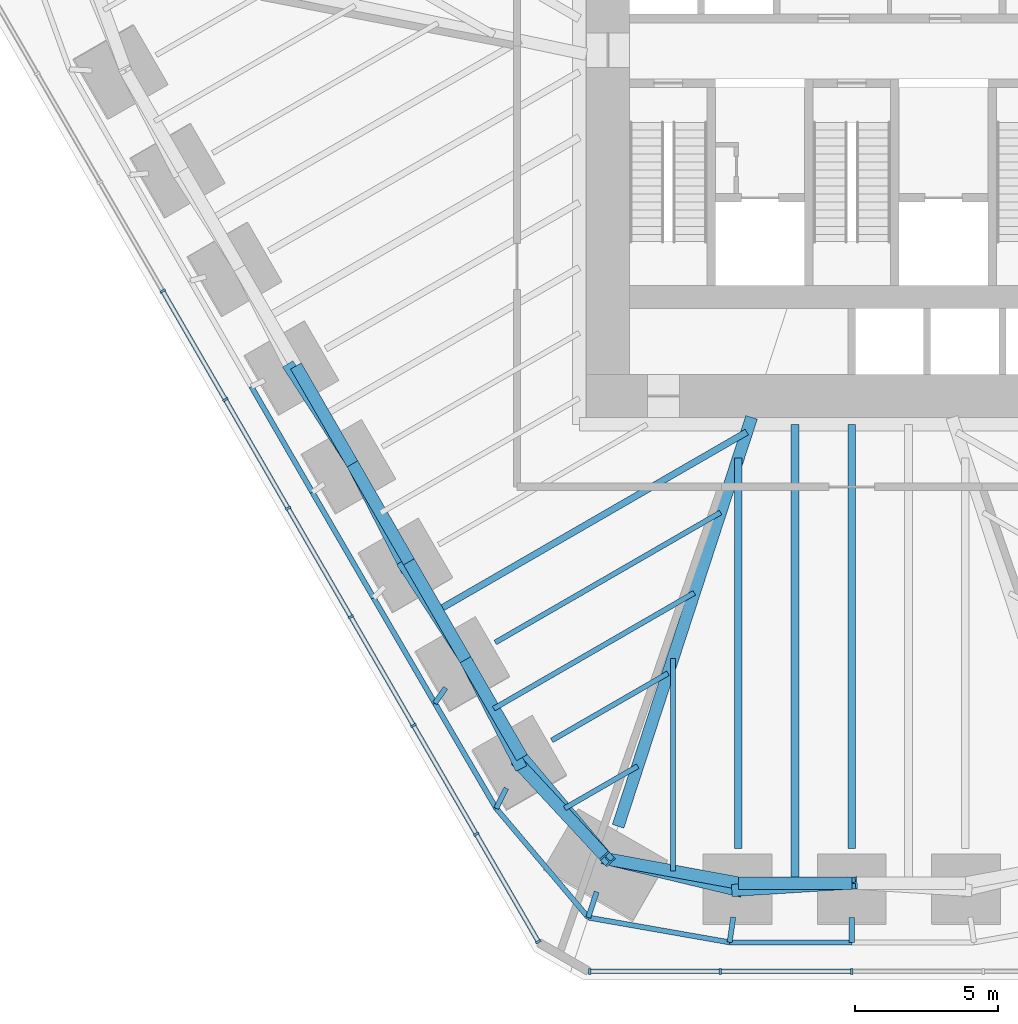
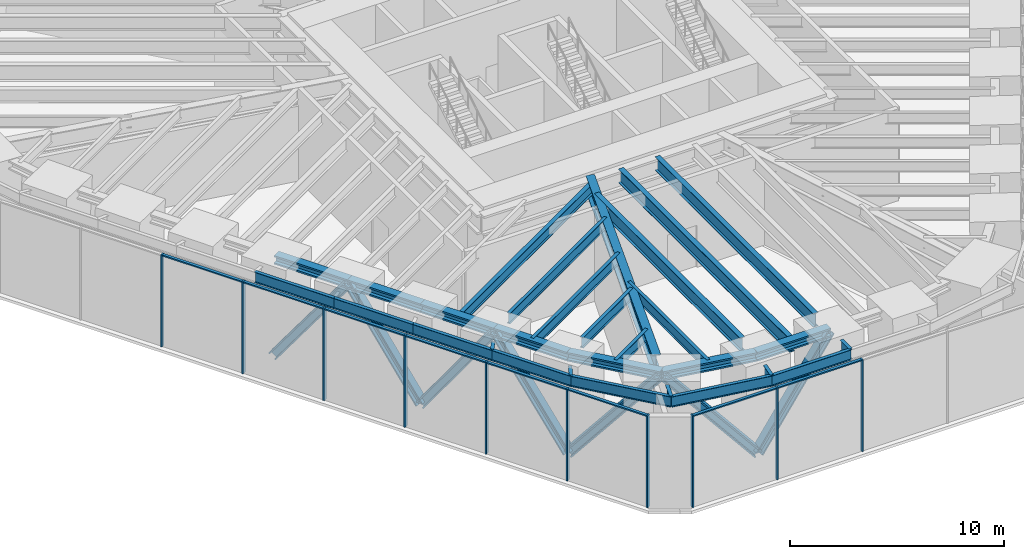
# One storey, part 2 of 13: 29 beams, 25 members, 2 elements without a shape of their own.
"""IFC4 building model written with IfcOpenShell, lengths in metres."""

import ifcopenshell
import ifcopenshell.guid

model = None  # the IFC model being written
_history = None  # IfcOwnerHistory: only IFC2X3 demands one
_inside = {}  # id of a spatial element -> (the spatial element, [elements in it])
_under = {}  # id of a project, library or spatial element -> (it, [spatial elements below it])
_declared = {}  # id of a project -> (the project, [libraries it declares])
_typed = {}  # id of a type object -> (the type object, [elements of that type])
_made_of = {}  # id of a material, layer set ... -> (it, [elements and type objects made of it])


def new_model(schema):
    """Start an empty IFC model of exactly this schema.

    Asked for "IFC4X3", IfcOpenShell would pick the latest addendum, in which some entities
    have other attributes; the version numbers below select the first issue.
    IFC2X3 requires an IfcOwnerHistory on every rooted entity: one is made here for all.
    """
    global model, _history
    if schema == "IFC4X3":
        model = ifcopenshell.file(schema_version=(4, 3, 0, 0))
    else:
        model = ifcopenshell.file(schema=schema)
    _inside.clear()
    _under.clear()
    _declared.clear()
    _typed.clear()
    _made_of.clear()
    _history = None
    if model.schema == "IFC2X3":
        org = make("IfcOrganization", Name="unknown")
        user = make(
            "IfcPersonAndOrganization",
            ThePerson=make("IfcPerson", FamilyName="unknown"),
            TheOrganization=org,
        )
        app = make(
            "IfcApplication",
            ApplicationDeveloper=org,
            Version="unknown",
            ApplicationFullName="unknown",
            ApplicationIdentifier="unknown",
        )
        _history = make(
            "IfcOwnerHistory",
            OwningUser=user,
            OwningApplication=app,
            ChangeAction="ADDED",
            CreationDate=0,
        )
    return model


def make(cls, **values):
    """One entity of the class cls with the attributes given. An attribute that is None is left unset."""
    return model.create_entity(
        cls, **{name: value for name, value in values.items() if value is not None}
    )


def rooted(cls, **values):
    """An entity with a GlobalId (a new one), such as an element, a storey or a relation."""
    return make(cls, GlobalId=ifcopenshell.guid.new(), OwnerHistory=_history, **values)


def si_unit(unit_type, name, prefix=None):
    """IfcSIUnit, for example si_unit("LENGTHUNIT", "METRE", prefix="MILLI")."""
    return make("IfcSIUnit", UnitType=unit_type, Prefix=prefix, Name=name)


def assignment(units):
    """IfcUnitAssignment: the units of a project."""
    return None if units is None else make("IfcUnitAssignment", Units=units)


def point(xyz):
    """IfcCartesianPoint."""
    return None if xyz is None else make("IfcCartesianPoint", Coordinates=xyz)


def direction(xyz):
    """IfcDirection."""
    return None if xyz is None else make("IfcDirection", DirectionRatios=xyz)


def frame(location, z_axis=None, x_axis=None):
    """IfcAxis2Placement3D, a coordinate frame: its origin and axes. An axis left out is left unset."""
    return make(
        "IfcAxis2Placement3D",
        Location=point(location),
        Axis=direction(z_axis),
        RefDirection=direction(x_axis),
    )


def frame_2d(location, x_axis=None):
    """IfcAxis2Placement2D, a coordinate frame in the plane: its origin and x axis."""
    return make(
        "IfcAxis2Placement2D", Location=point(location), RefDirection=direction(x_axis)
    )


def origin():
    """The frame at (0, 0, 0) with its axes left unset."""
    return frame((0.0, 0.0, 0.0))


def origin_2d():
    """The frame at (0, 0) in the plane with its x axis left unset."""
    return frame_2d((0.0, 0.0))


def place(relative_to, where):
    """IfcLocalPlacement: puts the frame where relative to a parent placement (None: the world)."""
    return make(
        "IfcLocalPlacement", PlacementRelTo=relative_to, RelativePlacement=where
    )


def context(
    kind, dimensions, precision=None, world=None, true_north=None, identifier=None
):
    """IfcGeometricRepresentationContext, for example the 3D "Model" context."""
    return make(
        "IfcGeometricRepresentationContext",
        ContextIdentifier=identifier,
        ContextType=kind,
        CoordinateSpaceDimension=dimensions,
        Precision=precision,
        WorldCoordinateSystem=world,
        TrueNorth=true_north,
    )


def subcontext(parent, identifier, kind, view, scale=None):
    """IfcGeometricRepresentationSubContext, for example "Body" below "Model"."""
    return make(
        "IfcGeometricRepresentationSubContext",
        ContextIdentifier=identifier,
        ContextType=kind,
        ParentContext=parent,
        TargetScale=scale,
        TargetView=view,
    )


def project(units=None, contexts=None):
    """IfcProject with its units and contexts."""
    return rooted(
        "IfcProject",
        Name="project",
        RepresentationContexts=contexts,
        UnitsInContext=assignment(units),
    )


def spatial(cls, under=None, at=None, **own):
    """A site, building, storey or space (cls), placed at a placement, below another one or the project."""
    s = rooted(cls, ObjectPlacement=at, **own)
    if under is not None:
        _under.setdefault(under.id(), (under, []))[1].append(s)
    return s


def profile(cls, at=None, kind="AREA", **sizes):
    """A parametric profile (cls). Its sizes go by their IFC names, for example OverallWidth=200.0."""
    return make(cls, ProfileType=kind, Position=at, **sizes)


def rectangle(**sizes):
    """IfcRectangleProfileDef."""
    return profile("IfcRectangleProfileDef", **sizes)


def i_section(**sizes):
    """IfcIShapeProfileDef."""
    return profile("IfcIShapeProfileDef", **sizes)


def extrude(swept, where, along, depth):
    """IfcExtrudedAreaSolid: the profile swept, set in the frame where, extruded along a direction by depth."""
    return make(
        "IfcExtrudedAreaSolid",
        SweptArea=swept,
        Position=where,
        ExtrudedDirection=direction(along),
        Depth=depth,
    )


def shape(context_of_items, identifier, shape_type, items):
    """IfcShapeRepresentation: the items that make up one representation, for example the "Body"."""
    return make(
        "IfcShapeRepresentation",
        ContextOfItems=context_of_items,
        RepresentationIdentifier=identifier,
        RepresentationType=shape_type,
        Items=items,
    )


def material(Name=None, Category=None):
    """IfcMaterial."""
    return make("IfcMaterial", Name=Name, Category=Category)


def material_profile(
    of_material, cross_section, Name=None, Category=None, Priority=None
):
    """IfcMaterialProfile: a cross section and its material."""
    return make(
        "IfcMaterialProfile",
        Name=Name,
        Material=of_material,
        Profile=cross_section,
        Priority=Priority,
        Category=Category,
    )


def profile_set(profiles, Name=None, composite=None):
    """IfcMaterialProfileSet."""
    return make(
        "IfcMaterialProfileSet",
        Name=Name,
        MaterialProfiles=profiles,
        CompositeProfile=composite,
    )


def made_of(thing, what):
    """Note that an element or type object is made of a material, layer set ...; save() writes the relation."""
    if what is not None:
        _made_of.setdefault(what.id(), (what, []))[1].append(thing)
    return thing


def type_object(cls, material=None, **own):
    """A type object (cls), such as IfcWallType, which elements share."""
    return made_of(rooted(cls, **own), material)


def element(
    cls,
    number,
    at=None,
    inside=None,
    cuts=None,
    type_object=None,
    material=None,
    context=None,
    identifier="Body",
    shape_type=None,
    held_by="IfcProductDefinitionShape",
    body=None,
    shapes=None,
    **own,
):
    """One element of the class cls, such as IfcWall. Its Tag is "e" and its number.

    at: its placement. inside: the storey or other place that contains it. cuts: it is an
    opening in that element (IfcRelVoidsElement). A single representation is given by context,
    identifier, shape_type and body (its items); several are given by shapes. held_by: the class
    of the entity that holds the representations. save() writes the other relations.
    """
    e = rooted(cls, Tag="e%d" % number, ObjectPlacement=at, **own)
    if body is not None:
        shapes = [shape(context, identifier, shape_type, body)]
    if shapes is not None:
        e.Representation = make(held_by, Representations=shapes)
    if inside is not None:
        _inside.setdefault(inside.id(), (inside, []))[1].append(e)
    if cuts is not None:
        rooted(
            "IfcRelVoidsElement", RelatingBuildingElement=cuts, RelatedOpeningElement=e
        )
    if type_object is not None:
        _typed.setdefault(type_object.id(), (type_object, []))[1].append(e)
    return made_of(e, material)


def aggregate(whole, parts):
    """IfcRelAggregates: a whole, such as a stair, and the parts it consists of."""
    return rooted("IfcRelAggregates", RelatingObject=whole, RelatedObjects=parts)


def save(model, path):
    """Write the relations noted so far, then the file.

    IfcRelAggregates (storeys below a building ...), IfcRelContainedInSpatialStructure (elements
    in a storey), IfcRelDefinesByType, IfcRelAssociatesMaterial and IfcRelDeclares: one each for
    every whole, place, type object, material and project.
    """
    for whole, parts in _under.values():
        aggregate(whole, parts)
    for where, things in _inside.values():
        rooted(
            "IfcRelContainedInSpatialStructure",
            RelatedElements=things,
            RelatingStructure=where,
        )
    for kind, things in _typed.values():
        rooted("IfcRelDefinesByType", RelatedObjects=things, RelatingType=kind)
    for what, things in _made_of.values():
        rooted("IfcRelAssociatesMaterial", RelatedObjects=things, RelatingMaterial=what)
    for by, libraries in _declared.values():
        rooted("IfcRelDeclares", RelatingContext=by, RelatedDefinitions=libraries)
    model.write(path)


model = new_model("IFC4")

# Units and contexts
model_context = context("Model", 3, precision=1e-05, world=origin(), true_north=direction((0.0, 1.0)))
body_context = subcontext(model_context, "Body", "Model", "MODEL_VIEW")
ifc_project = project(units=[si_unit("LENGTHUNIT", "METRE"), si_unit("AREAUNIT", "SQUARE_METRE"), si_unit("VOLUMEUNIT", "CUBIC_METRE"), si_unit("PLANEANGLEUNIT", "RADIAN"), si_unit("MASSUNIT", "GRAM", prefix="KILO")], contexts=[model_context])

# Site, building, storey
site_placement = place(None, origin())
site = spatial("IfcSite", under=ifc_project, at=site_placement, CompositionType="ELEMENT")
building_placement = place(site_placement, origin())
building = spatial("IfcBuilding", under=site, at=building_placement, Name="Sandreach Pilgrim Tower", CompositionType="ELEMENT")
storey_placement = place(building_placement, frame((0.0, 0.0, 91.39990234375)))
storey = spatial("IfcBuildingStorey", under=building, at=storey_placement, Name="L22", CompositionType="ELEMENT", Elevation=91.39990234375)

# Beams
ifc_material_1 = material(Name="Steel ASTM A913 Grade 65", Category="steel")
ifc_material_profile_1 = material_profile(ifc_material_1, i_section(OverallWidth=0.431884765625, OverallDepth=0.497802734375, WebThickness=0.0556640625, FlangeThickness=0.0888671875, at=origin_2d()), Name="W14X500")
ifc_profile_set_1 = profile_set([ifc_material_profile_1], Name="Steel ASTM A913 Grade 65")
beam_type_1 = type_object("IfcBeamType", Name="Belt truss chord W14X500", PredefinedType="BEAM", material=ifc_profile_set_1)
beam_1_placement = place(storey_placement, frame((0.0, -26.93212890625, 4.9912109375), z_axis=(-1.0, 0.0, 0.0), x_axis=(0.0, -1.0, 0.0)))
element("IfcBeam", 1, at=beam_1_placement, inside=storey, type_object=beam_type_1, Name="BM L22 BTT24", PredefinedType="BEAM", context=body_context, shape_type="SweptSolid", body=[
    extrude(i_section(OverallWidth=0.431884765625, OverallDepth=0.497802734375, WebThickness=0.0556640625, FlangeThickness=0.0888671875, at=origin_2d()), origin(), (0.0, 0.0, 1.0), 3.955322265625),
])
beam_2_placement = place(storey_placement, frame((-3.955322265625, -26.93212890625, 4.9912109375), z_axis=(-0.983551746136, 0.180626583516, 0.0), x_axis=(-0.180626583516, -0.983551746136, 0.0)))
element("IfcBeam", 2, at=beam_2_placement, inside=storey, type_object=beam_type_1, Name="BM L22 BTT25", PredefinedType="BEAM", context=body_context, shape_type="SweptSolid", body=[
    extrude(i_section(OverallWidth=0.431884765625, OverallDepth=0.497802734375, WebThickness=0.0556640625, FlangeThickness=0.0888671875, at=origin_2d()), origin(), (0.0, 0.0, 1.0), 4.638916015625),
])
beam_3_placement = place(storey_placement, frame((-8.517822265625, -26.09423828125, 4.9912109375), z_axis=(-0.644078801547, 0.764959147535, 0.0), x_axis=(-0.764959147535, -0.644078801547, 0.0)))
element("IfcBeam", 3, at=beam_3_placement, inside=storey, type_object=beam_type_1, Name="BM L22 BTT26", PredefinedType="BEAM", context=body_context, shape_type="SweptSolid", body=[
    extrude(i_section(OverallWidth=0.431884765625, OverallDepth=0.497802734375, WebThickness=0.0556640625, FlangeThickness=0.0888671875, at=origin_2d()), origin(), (0.0, 0.0, 1.0), 4.62109375),
])
for number, where, z_axis, x_axis, name in (
    (4, (-11.494140625, -22.559326171875, 4.9912109375), (-0.49999779889, 0.866026674592, 0.0), (-0.866026674592, -0.49999779889, 0.0), "BM L22 BTT27"),
    (5, (-13.464111328125, -19.147216796875, 4.9912109375), (-0.49999779889, 0.866026674592, 0.0), (-0.866026674592, -0.49999779889, 0.0), "BM L22 BTT28"),
    (6, (-15.43408203125, -15.735107421875, 4.9912109375), (-0.49999779889, 0.866026674592, 0.0), (-0.866026674592, -0.49999779889, 0.0), "BM L22 BTT29"),
    (7, (-17.404052734375, -12.322998046875, 4.9912109375), (-0.49999779889, 0.866026674592, 0.0), (-0.866026674592, -0.49999779889, 0.0), "BM L22 BTT30"),
):
    element("IfcBeam", number, at=place(storey_placement, frame(where, z_axis=z_axis, x_axis=x_axis)), inside=storey, type_object=beam_type_1, Name=name, PredefinedType="BEAM", context=body_context, shape_type="SweptSolid", body=[
        extrude(i_section(OverallWidth=0.431884765625, OverallDepth=0.497802734375, WebThickness=0.0556640625, FlangeThickness=0.0888671875, at=origin_2d()), origin(), (0.0, 0.0, 1.0), 3.93994140625),
    ])

# Members
ifc_material_2 = material(Name="Steel ASTM A913 Grade 65", Category="steel")
ifc_material_profile_2 = material_profile(ifc_material_2, i_section(OverallWidth=0.424072265625, OverallDepth=0.47509765625, WebThickness=0.0478515625, FlangeThickness=0.0771484375, at=origin_2d()), Name="W14X426")
ifc_profile_set_2 = profile_set([ifc_material_profile_2], Name="Steel ASTM A913 Grade 65")
member_type_1 = type_object("IfcMemberType", Name="Belt truss diagonal W14X426", PredefinedType="BRACE", material=ifc_profile_set_2)
member_1_placement = place(storey_placement, frame((0.0, -26.93212890625, 4.9912109375), z_axis=(-0.594013567662, -0.036912402737, -0.803607712729), x_axis=(0.062021042172, -0.998074842047, 0.0)))
element("IfcMember", 8, at=member_1_placement, inside=storey, type_object=member_type_1, Name="Belt truss diagonal L22 bay 24", PredefinedType="BRACE", context=body_context, shape_type="SweptSolid", body=[
    extrude(i_section(OverallWidth=0.424072265625, OverallDepth=0.47509765625, WebThickness=0.0478515625, FlangeThickness=0.0771484375, at=origin_2d()), origin(), (0.0, 0.0, 1.0), 6.719970703125),
])
member_2_placement = place(storey_placement, frame((-3.99169921875, -27.18017578125, -0.408935546875), z_axis=(-0.634863983355, 0.152320783104, 0.757460297094), x_axis=(-0.233305502579, -0.972403487482, 0.0)))
element("IfcMember", 9, at=member_2_placement, inside=storey, type_object=member_type_1, Name="Belt truss diagonal L22 bay 25", PredefinedType="BRACE", context=body_context, shape_type="SweptSolid", body=[
    extrude(i_section(OverallWidth=0.424072265625, OverallDepth=0.47509765625, WebThickness=0.0478515625, FlangeThickness=0.0771484375, at=origin_2d()), origin(), (0.0, 0.0, 1.0), 7.12939453125),
])
member_3_placement = place(storey_placement, frame((-8.517822265625, -26.09423828125, 4.9912109375), z_axis=(-0.437326529657, 0.471430451097, -0.765832120139), x_axis=(-0.733127082965, -0.680091670456, 0.0)))
element("IfcMember", 10, at=member_3_placement, inside=storey, type_object=member_type_1, Name="Belt truss diagonal L22 bay 26", PredefinedType="BRACE", context=body_context, shape_type="SweptSolid", body=[
    extrude(i_section(OverallWidth=0.424072265625, OverallDepth=0.47509765625, WebThickness=0.0478515625, FlangeThickness=0.0771484375, at=origin_2d()), origin(), (0.0, 0.0, 1.0), 7.05126953125),
])
member_4_placement = place(storey_placement, frame((-11.6015625, -22.77001953125, -0.408935546875), z_axis=(-0.275350983395, 0.535579137842, 0.798333779225), x_axis=(-0.889348385445, -0.457230192908, 0.0)))
element("IfcMember", 11, at=member_4_placement, inside=storey, type_object=member_type_1, Name="Belt truss diagonal L22 bay 27", PredefinedType="BRACE", context=body_context, shape_type="SweptSolid", body=[
    extrude(i_section(OverallWidth=0.424072265625, OverallDepth=0.47509765625, WebThickness=0.0478515625, FlangeThickness=0.0771484375, at=origin_2d()), origin(), (0.0, 0.0, 1.0), 6.76416015625),
])
member_5_placement = place(storey_placement, frame((-13.464111328125, -19.147216796875, 4.9912109375), z_axis=(-0.317648167186, 0.490613995606, -0.811417000807), x_axis=(-0.839420254425, -0.543482875959, 0.0)))
element("IfcMember", 12, at=member_5_placement, inside=storey, type_object=member_type_1, Name="Belt truss diagonal L22 bay 28", PredefinedType="BRACE", context=body_context, shape_type="SweptSolid", body=[
    extrude(i_section(OverallWidth=0.424072265625, OverallDepth=0.47509765625, WebThickness=0.0478515625, FlangeThickness=0.0771484375, at=origin_2d()), origin(), (0.0, 0.0, 1.0), 6.6552734375),
])
member_6_placement = place(storey_placement, frame((-15.578125, -15.882080078125, -0.408935546875), z_axis=(-0.271702624345, 0.529600328615, 0.803555334657), x_axis=(-0.889740563088, -0.456466570952, 0.0)))
element("IfcMember", 13, at=member_6_placement, inside=storey, type_object=member_type_1, Name="Belt truss diagonal L22 bay 29", PredefinedType="BRACE", context=body_context, shape_type="SweptSolid", body=[
    extrude(i_section(OverallWidth=0.424072265625, OverallDepth=0.47509765625, WebThickness=0.0478515625, FlangeThickness=0.0771484375, at=origin_2d()), origin(), (0.0, 0.0, 1.0), 6.72021484375),
])
member_7_placement = place(storey_placement, frame((-17.404052734375, -12.322998046875, 4.9912109375), z_axis=(-0.321101268032, 0.496959794508, -0.806179222202), x_axis=(-0.839925308326, -0.5427020144, 0.0)))
element("IfcMember", 14, at=member_7_placement, inside=storey, type_object=member_type_1, Name="Belt truss diagonal L22 bay 30", PredefinedType="BRACE", context=body_context, shape_type="SweptSolid", body=[
    extrude(i_section(OverallWidth=0.424072265625, OverallDepth=0.47509765625, WebThickness=0.0478515625, FlangeThickness=0.0771484375, at=origin_2d()), origin(), (0.0, 0.0, 1.0), 6.698486328125),
])

# Curtain wall, members
ifc_material_3 = material(Name="Aluminium framed curtain wall", Category="aluminium")
curtain_wall_type = type_object("IfcCurtainWallType", Name="Plant storey louvred curtain wall", PredefinedType="NOTDEFINED", material=ifc_material_3)
curtain_wall_1_placement = place(storey_placement, origin())
curtain_wall_1 = element("IfcCurtainWall", 15, at=curtain_wall_1_placement, inside=storey, type_object=curtain_wall_type, Name="CW-L L22 S", PredefinedType="NOTDEFINED")
ifc_material_4 = material(Name="Aluminium extrusion", Category="aluminium")
ifc_material_profile_3 = material_profile(ifc_material_4, rectangle(XDim=0.080078125, YDim=0.199951171875, at=origin_2d()), Name="CW-LM 80X200")
ifc_profile_set_3 = profile_set([ifc_material_profile_3], Name="Aluminium extrusion")
member_type_2 = type_object("IfcMemberType", Name="CW-L mullion", PredefinedType="MULLION", material=ifc_profile_set_3)
member_8_placement = place(storey_placement, frame((0.0, -30.010986328125, 0.0), z_axis=(0.0, 0.0, 1.0), x_axis=(-1.0, 0.0, 0.0)))
member_8 = element("IfcMember", 16, at=member_8_placement, type_object=member_type_2, Name="CW-L mullion 3", PredefinedType="MULLION", context=body_context, shape_type="SweptSolid", body=[
    extrude(rectangle(XDim=0.080078125, YDim=0.199951171875, at=origin_2d()), origin(), (0.0, 0.0, 1.0), 5.239990234375),
])
member_9_placement = place(storey_placement, frame((-4.5859375, -30.010986328125, 0.0), z_axis=(0.0, 0.0, 1.0), x_axis=(-1.0, 0.0, 0.0)))
member_9 = element("IfcMember", 17, at=member_9_placement, type_object=member_type_2, Name="CW-L mullion 4", PredefinedType="MULLION", context=body_context, shape_type="SweptSolid", body=[
    extrude(rectangle(XDim=0.080078125, YDim=0.199951171875, at=origin_2d()), origin(), (0.0, 0.0, 1.0), 5.239990234375),
])
member_10_placement = place(storey_placement, frame((-9.132080078125, -30.010986328125, 0.0), z_axis=(0.0, 0.0, 1.0), x_axis=(-1.0, 0.0, 0.0)))
member_10 = element("IfcMember", 18, at=member_10_placement, type_object=member_type_2, Name="CW-L mullion 5", PredefinedType="MULLION", context=body_context, shape_type="SweptSolid", body=[
    extrude(rectangle(XDim=0.080078125, YDim=0.199951171875, at=origin_2d()), origin(), (0.0, 0.0, 1.0), 5.239990234375),
])

curtain_wall_2_placement = place(storey_placement, origin())
curtain_wall_2 = element("IfcCurtainWall", 19, at=curtain_wall_2_placement, inside=storey, type_object=curtain_wall_type, Name="CW-L L22 SW", PredefinedType="NOTDEFINED")
member_11_placement = place(storey_placement, frame((-10.924072265625, -28.976318359375, 0.0), z_axis=(0.0, 0.0, 1.0), x_axis=(-0.5, 0.866025403784, 0.0)))
member_11 = element("IfcMember", 20, at=member_11_placement, type_object=member_type_2, Name="CW-L mullion 1", PredefinedType="MULLION", context=body_context, shape_type="SweptSolid", body=[
    extrude(rectangle(XDim=0.080078125, YDim=0.199951171875, at=origin_2d()), origin(), (0.0, 0.0, 1.0), 5.239990234375),
])
member_12_placement = place(storey_placement, frame((-13.08984375, -25.22509765625, 0.0), z_axis=(0.0, 0.0, 1.0), x_axis=(-0.5, 0.866025403784, 0.0)))
member_12 = element("IfcMember", 21, at=member_12_placement, type_object=member_type_2, Name="CW-L mullion 2", PredefinedType="MULLION", context=body_context, shape_type="SweptSolid", body=[
    extrude(rectangle(XDim=0.080078125, YDim=0.199951171875, at=origin_2d()), origin(), (0.0, 0.0, 1.0), 5.239990234375),
])
member_13_placement = place(storey_placement, frame((-15.275634765625, -21.439208984375, 0.0), z_axis=(0.0, 0.0, 1.0), x_axis=(-0.5, 0.866025403784, 0.0)))
member_13 = element("IfcMember", 22, at=member_13_placement, type_object=member_type_2, Name="CW-L mullion 3", PredefinedType="MULLION", context=body_context, shape_type="SweptSolid", body=[
    extrude(rectangle(XDim=0.080078125, YDim=0.199951171875, at=origin_2d()), origin(), (0.0, 0.0, 1.0), 5.239990234375),
])
member_14_placement = place(storey_placement, frame((-17.46142578125, -17.6533203125, 0.0), z_axis=(0.0, 0.0, 1.0), x_axis=(-0.5, 0.866025403784, 0.0)))
member_14 = element("IfcMember", 23, at=member_14_placement, type_object=member_type_2, Name="CW-L mullion 4", PredefinedType="MULLION", context=body_context, shape_type="SweptSolid", body=[
    extrude(rectangle(XDim=0.080078125, YDim=0.199951171875, at=origin_2d()), origin(), (0.0, 0.0, 1.0), 5.239990234375),
])
member_15_placement = place(storey_placement, frame((-19.647216796875, -13.8671875, 0.0), z_axis=(0.0, 0.0, 1.0), x_axis=(-0.5, 0.866025403784, 0.0)))
member_15 = element("IfcMember", 24, at=member_15_placement, type_object=member_type_2, Name="CW-L mullion 5", PredefinedType="MULLION", context=body_context, shape_type="SweptSolid", body=[
    extrude(rectangle(XDim=0.080078125, YDim=0.199951171875, at=origin_2d()), origin(), (0.0, 0.0, 1.0), 5.239990234375),
])
member_16_placement = place(storey_placement, frame((-21.8330078125, -10.081298828125, 0.0), z_axis=(0.0, 0.0, 1.0), x_axis=(-0.5, 0.866025403784, 0.0)))
member_16 = element("IfcMember", 25, at=member_16_placement, type_object=member_type_2, Name="CW-L mullion 6", PredefinedType="MULLION", context=body_context, shape_type="SweptSolid", body=[
    extrude(rectangle(XDim=0.080078125, YDim=0.199951171875, at=origin_2d()), origin(), (0.0, 0.0, 1.0), 5.239990234375),
])
member_17_placement = place(storey_placement, frame((-24.018798828125, -6.29541015625, 0.0), z_axis=(0.0, 0.0, 1.0), x_axis=(-0.5, 0.866025403784, 0.0)))
member_17 = element("IfcMember", 26, at=member_17_placement, type_object=member_type_2, Name="CW-L mullion 7", PredefinedType="MULLION", context=body_context, shape_type="SweptSolid", body=[
    extrude(rectangle(XDim=0.080078125, YDim=0.199951171875, at=origin_2d()), origin(), (0.0, 0.0, 1.0), 5.239990234375),
])

# Member
ifc_material_5 = material(Name="Aluminium extrusion", Category="aluminium")
ifc_material_profile_4 = material_profile(ifc_material_5, rectangle(XDim=0.159912109375, YDim=0.070068359375, at=origin_2d()), Name="CW-LT 160X70")
ifc_profile_set_4 = profile_set([ifc_material_profile_4], Name="Aluminium extrusion")
member_type_3 = type_object("IfcMemberType", Name="CW-L transom", PredefinedType="USERDEFINED", material=ifc_profile_set_4)
member_18_placement = place(storey_placement, frame((-0.0400390625, -30.010986328125, 5.205078125), z_axis=(-1.0, 0.0, 0.0), x_axis=(0.0, -1.0, 0.0)))
member_18 = element("IfcMember", 27, at=member_18_placement, type_object=member_type_3, Name="CW-L head transom 3", ObjectType="TRANSOM", PredefinedType="USERDEFINED", context=body_context, shape_type="SweptSolid", body=[
    extrude(rectangle(XDim=0.159912109375, YDim=0.070068359375, at=origin_2d()), origin(), (0.0, 0.0, 1.0), 4.506103515625),
])

member_19_placement = place(storey_placement, frame((-4.6259765625, -30.010986328125, 5.205078125), z_axis=(-1.0, 0.0, 0.0), x_axis=(0.0, -1.0, 0.0)))
member_19 = element("IfcMember", 28, at=member_19_placement, type_object=member_type_3, Name="CW-L head transom 4", ObjectType="TRANSOM", PredefinedType="USERDEFINED", context=body_context, shape_type="SweptSolid", body=[
    extrude(rectangle(XDim=0.159912109375, YDim=0.070068359375, at=origin_2d()), origin(), (0.0, 0.0, 1.0), 4.466064453125),
])

aggregate(curtain_wall_1, [member_8, member_9, member_10, member_18, member_19])

member_20_placement = place(storey_placement, frame((-10.944091796875, -28.941650390625, 5.205078125), z_axis=(-0.49997429937, 0.866040241541, 0.0), x_axis=(-0.866040241541, -0.49997429937, 0.0)))
member_20 = element("IfcMember", 29, at=member_20_placement, type_object=member_type_3, Name="CW-L head transom 1", ObjectType="TRANSOM", PredefinedType="USERDEFINED", context=body_context, shape_type="SweptSolid", body=[
    extrude(rectangle(XDim=0.159912109375, YDim=0.070068359375, at=origin_2d()), origin(), (0.0, 0.0, 1.0), 4.251708984375),
])

member_21_placement = place(storey_placement, frame((-13.10986328125, -25.1904296875, 5.205078125), z_axis=(-0.499975232926, 0.866039702589, 0.0), x_axis=(-0.866039702589, -0.499975232926, 0.0)))
member_21 = element("IfcMember", 30, at=member_21_placement, type_object=member_type_3, Name="CW-L head transom 2", ObjectType="TRANSOM", PredefinedType="USERDEFINED", context=body_context, shape_type="SweptSolid", body=[
    extrude(rectangle(XDim=0.159912109375, YDim=0.070068359375, at=origin_2d()), origin(), (0.0, 0.0, 1.0), 4.291748046875),
])

member_22_placement = place(storey_placement, frame((-15.295654296875, -21.404541015625, 5.205078125), z_axis=(-0.499975232926, 0.866039702589, 0.0), x_axis=(-0.866039702589, -0.499975232926, 0.0)))
member_22 = element("IfcMember", 31, at=member_22_placement, type_object=member_type_3, Name="CW-L head transom 3", ObjectType="TRANSOM", PredefinedType="USERDEFINED", context=body_context, shape_type="SweptSolid", body=[
    extrude(rectangle(XDim=0.159912109375, YDim=0.070068359375, at=origin_2d()), origin(), (0.0, 0.0, 1.0), 4.291748046875),
])

member_23_placement = place(storey_placement, frame((-17.4814453125, -17.61865234375, 5.205078125), z_axis=(-0.499975232926, 0.866039702589, 0.0), x_axis=(-0.866039702589, -0.499975232926, 0.0)))
member_23 = element("IfcMember", 32, at=member_23_placement, type_object=member_type_3, Name="CW-L head transom 4", ObjectType="TRANSOM", PredefinedType="USERDEFINED", context=body_context, shape_type="SweptSolid", body=[
    extrude(rectangle(XDim=0.159912109375, YDim=0.070068359375, at=origin_2d()), origin(), (0.0, 0.0, 1.0), 4.291748046875),
])

member_24_placement = place(storey_placement, frame((-19.667236328125, -13.832763671875, 5.205078125), z_axis=(-0.499975232926, 0.866039702589, 0.0), x_axis=(-0.866039702589, -0.499975232926, 0.0)))
member_24 = element("IfcMember", 33, at=member_24_placement, type_object=member_type_3, Name="CW-L head transom 5", ObjectType="TRANSOM", PredefinedType="USERDEFINED", context=body_context, shape_type="SweptSolid", body=[
    extrude(rectangle(XDim=0.159912109375, YDim=0.070068359375, at=origin_2d()), origin(), (0.0, 0.0, 1.0), 4.291748046875),
])

member_25_placement = place(storey_placement, frame((-21.85302734375, -10.046875, 5.205078125), z_axis=(-0.499975232926, 0.866039702589, 0.0), x_axis=(-0.866039702589, -0.499975232926, 0.0)))
member_25 = element("IfcMember", 34, at=member_25_placement, type_object=member_type_3, Name="CW-L head transom 6", ObjectType="TRANSOM", PredefinedType="USERDEFINED", context=body_context, shape_type="SweptSolid", body=[
    extrude(rectangle(XDim=0.159912109375, YDim=0.070068359375, at=origin_2d()), origin(), (0.0, 0.0, 1.0), 4.291748046875),
])

aggregate(curtain_wall_2, [member_11, member_12, member_13, member_14, member_15, member_16, member_17, member_20, member_21, member_22, member_23, member_24, member_25])

# Beams
ifc_material_6 = material(Name="Steel ASTM A992 Grade 50", Category="steel")
ifc_material_profile_5 = material_profile(ifc_material_6, i_section(OverallWidth=0.421630859375, OverallDepth=0.937255859375, WebThickness=0.0224609375, FlangeThickness=0.039794921875, at=origin_2d()), Name="W36X282")
ifc_profile_set_5 = profile_set([ifc_material_profile_5], Name="Steel ASTM A992 Grade 50")
beam_type_2 = type_object("IfcBeamType", Name="Corner girder W36X282", PredefinedType="BEAM", material=ifc_profile_set_5)
beam_4_placement = place(storey_placement, frame((-8.1455078125, -24.95361328125, 4.771484375), z_axis=(0.310315899411, 0.950633495398, 0.0), x_axis=(-0.950633495398, 0.310315899411, 0.0)))
element("IfcBeam", 35, at=beam_4_placement, inside=storey, type_object=beam_type_2, Name="BM L22 CG26", PredefinedType="BEAM", context=body_context, shape_type="SweptSolid", body=[
    extrude(i_section(OverallWidth=0.421630859375, OverallDepth=0.937255859375, WebThickness=0.0224609375, FlangeThickness=0.039794921875, at=origin_2d()), origin(), (0.0, 0.0, 1.0), 14.993896484375),
])
ifc_material_7 = material(Name="Steel ASTM A992 Grade 50", Category="steel")
ifc_material_profile_6 = material_profile(ifc_material_7, i_section(OverallWidth=0.1787109375, OverallDepth=0.60205078125, WebThickness=0.010986328125, FlangeThickness=0.014892578125, at=origin_2d()), Name="W24X62")
ifc_profile_set_6 = profile_set([ifc_material_profile_6], Name="Steel ASTM A992 Grade 50")
beam_type_3 = type_object("IfcBeamType", Name="Floor beam W24X62", PredefinedType="BEAM", material=ifc_profile_set_6)
beam_5_placement = place(storey_placement, frame((-10.454833984375, -21.959228515625, 4.939208984375), z_axis=(0.866017799667, 0.500013170487, 0.0), x_axis=(-0.500013170487, 0.866017799667, 0.0)))
element("IfcBeam", 36, at=beam_5_placement, inside=storey, type_object=beam_type_3, Name="BM L22 F27", PredefinedType="BEAM", context=body_context, shape_type="SweptSolid", body=[
    extrude(i_section(OverallWidth=0.1787109375, OverallDepth=0.60205078125, WebThickness=0.010986328125, FlangeThickness=0.014892578125, at=origin_2d()), origin(), (0.0, 0.0, 1.0), 4.676513671875),
])
beam_6_placement = place(storey_placement, frame((-12.4248046875, -18.547119140625, 4.939208984375), z_axis=(0.866020076177, 0.500009227573, 0.0), x_axis=(-0.500009227573, 0.866020076177, 0.0)))
element("IfcBeam", 37, at=beam_6_placement, inside=storey, type_object=beam_type_3, Name="BM L22 F28", PredefinedType="BEAM", context=body_context, shape_type="SweptSolid", body=[
    extrude(i_section(OverallWidth=0.1787109375, OverallDepth=0.60205078125, WebThickness=0.010986328125, FlangeThickness=0.014892578125, at=origin_2d()), origin(), (0.0, 0.0, 1.0), 9.064208984375),
])
beam_7_placement = place(storey_placement, frame((-6.236572265625, -26.51318359375, 4.939208984375), z_axis=(0.0, 1.0, 0.0), x_axis=(-1.0, 0.0, 0.0)))
element("IfcBeam", 38, at=beam_7_placement, inside=storey, type_object=beam_type_3, Name="BM L22 FM25", PredefinedType="BEAM", context=body_context, shape_type="SweptSolid", body=[
    extrude(i_section(OverallWidth=0.1787109375, OverallDepth=0.60205078125, WebThickness=0.010986328125, FlangeThickness=0.014892578125, at=origin_2d()), origin(), (0.0, 0.0, 1.0), 7.40771484375),
])
beam_8_placement = place(storey_placement, frame((-10.006103515625, -24.326904296875, 4.939208984375), z_axis=(0.866015396618, 0.500017332519, 0.0), x_axis=(-0.500017332519, 0.866015396618, 0.0)))
element("IfcBeam", 39, at=beam_8_placement, inside=storey, type_object=beam_type_3, Name="BM L22 FM26", PredefinedType="BEAM", context=body_context, shape_type="SweptSolid", body=[
    extrude(i_section(OverallWidth=0.1787109375, OverallDepth=0.60205078125, WebThickness=0.010986328125, FlangeThickness=0.014892578125, at=origin_2d()), origin(), (0.0, 0.0, 1.0), 2.9384765625),
])
beam_9_placement = place(storey_placement, frame((-12.47900390625, -20.853271484375, 4.939208984375), z_axis=(0.866017328257, 0.500013986963, 0.0), x_axis=(-0.500013986963, 0.866017328257, 0.0)))
element("IfcBeam", 40, at=beam_9_placement, inside=storey, type_object=beam_type_3, Name="BM L22 FM27", PredefinedType="BEAM", context=body_context, shape_type="SweptSolid", body=[
    extrude(i_section(OverallWidth=0.1787109375, OverallDepth=0.60205078125, WebThickness=0.010986328125, FlangeThickness=0.014892578125, at=origin_2d()), origin(), (0.0, 0.0, 1.0), 8.070556640625),
])
ifc_material_8 = material(Name="Steel ASTM A992 Grade 50", Category="steel")
ifc_material_profile_7 = material_profile(ifc_material_8, i_section(OverallWidth=0.23046875, OverallDepth=0.6171875, WebThickness=0.01318359375, FlangeThickness=0.022216796875, at=origin_2d()), Name="W24X94")
ifc_profile_set_7 = profile_set([ifc_material_profile_7], Name="Steel ASTM A992 Grade 50")
beam_type_4 = type_object("IfcBeamType", Name="Floor beam W24X94", PredefinedType="BEAM", material=ifc_profile_set_7)
beam_10_placement = place(storey_placement, frame((-14.448974609375, -17.441162109375, 4.931396484375), z_axis=(0.866019150617, 0.500010830648, 0.0), x_axis=(-0.500010830648, 0.866019150617, 0.0)))
element("IfcBeam", 41, at=beam_10_placement, inside=storey, type_object=beam_type_4, Name="BM L22 FM28", PredefinedType="BEAM", context=body_context, shape_type="SweptSolid", body=[
    extrude(i_section(OverallWidth=0.23046875, OverallDepth=0.6171875, WebThickness=0.01318359375, FlangeThickness=0.022216796875, at=origin_2d()), origin(), (0.0, 0.0, 1.0), 12.458251953125),
])
ifc_material_9 = material(Name="Steel ASTM A992 Grade 50", Category="steel")
ifc_material_profile_8 = material_profile(ifc_material_9, i_section(OverallWidth=0.2666015625, OverallDepth=0.761962890625, WebThickness=0.014404296875, FlangeThickness=0.021484375, at=origin_2d()), Name="W30X116")
ifc_profile_set_8 = profile_set([ifc_material_profile_8], Name="Steel ASTM A992 Grade 50")
beam_type_5 = type_object("IfcBeamType", Name="Floor beam W30X116", PredefinedType="BEAM", material=ifc_profile_set_8)
beam_11_placement = place(storey_placement, frame((0.0, -25.732177734375, 4.859130859375), z_axis=(0.0, 1.0, 0.0), x_axis=(-1.0, 0.0, 0.0)))
element("IfcBeam", 42, at=beam_11_placement, inside=storey, type_object=beam_type_5, Name="BM L22 F24", PredefinedType="BEAM", context=body_context, shape_type="SweptSolid", body=[
    extrude(i_section(OverallWidth=0.2666015625, OverallDepth=0.761962890625, WebThickness=0.014404296875, FlangeThickness=0.021484375, at=origin_2d()), origin(), (0.0, 0.0, 1.0), 14.785888671875),
])
beam_12_placement = place(storey_placement, frame((-3.955322265625, -25.732177734375, 4.859130859375), z_axis=(0.0, 1.0, 0.0), x_axis=(-1.0, 0.0, 0.0)))
element("IfcBeam", 43, at=beam_12_placement, inside=storey, type_object=beam_type_5, Name="BM L22 F25", PredefinedType="BEAM", context=body_context, shape_type="SweptSolid", body=[
    extrude(i_section(OverallWidth=0.2666015625, OverallDepth=0.761962890625, WebThickness=0.014404296875, FlangeThickness=0.021484375, at=origin_2d()), origin(), (0.0, 0.0, 1.0), 13.615478515625),
])
ifc_material_10 = material(Name="Steel ASTM A992 Grade 50", Category="steel")
ifc_material_profile_9 = material_profile(ifc_material_10, i_section(OverallWidth=0.2666015625, OverallDepth=0.77978515625, WebThickness=0.0166015625, FlangeThickness=0.030029296875, at=origin_2d()), Name="W30X148")
ifc_profile_set_9 = profile_set([ifc_material_profile_9], Name="Steel ASTM A992 Grade 50")
beam_type_6 = type_object("IfcBeamType", Name="Floor beam W30X148", PredefinedType="BEAM", material=ifc_profile_set_9)
beam_13_placement = place(storey_placement, frame((-1.9775390625, -26.93212890625, 4.85009765625), z_axis=(0.0, 1.0, 0.0), x_axis=(-1.0, 0.0, 0.0)))
element("IfcBeam", 44, at=beam_13_placement, inside=storey, type_object=beam_type_6, Name="BM L22 FM24", PredefinedType="BEAM", context=body_context, shape_type="SweptSolid", body=[
    extrude(i_section(OverallWidth=0.2666015625, OverallDepth=0.77978515625, WebThickness=0.0166015625, FlangeThickness=0.030029296875, at=origin_2d()), origin(), (0.0, 0.0, 1.0), 15.98583984375),
])
ifc_material_11 = material(Name="Steel ASTM A992 Grade 50", Category="steel")
ifc_material_profile_10 = material_profile(ifc_material_11, i_section(OverallWidth=0.1787109375, OverallDepth=0.60205078125, WebThickness=0.010986328125, FlangeThickness=0.014892578125, at=origin_2d()), Name="W24X62")
ifc_profile_set_10 = profile_set([ifc_material_profile_10], Name="Steel ASTM A992 Grade 50")
beam_type_7 = type_object("IfcBeamType", Name="Setback roof edge beam W24X62", PredefinedType="BEAM", material=ifc_profile_set_10)
beam_14_placement = place(storey_placement, frame((0.0, -29.0009765625, 4.899169921875), z_axis=(-0.999999801156, 0.00063062534, 0.0), x_axis=(-0.00063062534, -0.999999801156, 0.0)))
element("IfcBeam", 45, at=beam_14_placement, inside=storey, type_object=beam_type_7, Name="BM L22 RE24", PredefinedType="BEAM", context=body_context, shape_type="SweptSolid", body=[
    extrude(i_section(OverallWidth=0.1787109375, OverallDepth=0.60205078125, WebThickness=0.010986328125, FlangeThickness=0.014892578125, at=origin_2d()), origin(), (0.0, 0.0, 1.0), 4.258544921875),
])
beam_15_placement = place(storey_placement, frame((-4.258544921875, -28.998291015625, 4.899169921875), z_axis=(-0.984967810867, 0.172737985271, 0.0), x_axis=(-0.172737985271, -0.984967810867, 0.0)))
element("IfcBeam", 46, at=beam_15_placement, inside=storey, type_object=beam_type_7, Name="BM L22 RE25", PredefinedType="BEAM", context=body_context, shape_type="SweptSolid", body=[
    extrude(i_section(OverallWidth=0.1787109375, OverallDepth=0.60205078125, WebThickness=0.010986328125, FlangeThickness=0.014892578125, at=origin_2d()), origin(), (0.0, 0.0, 1.0), 5.00048828125),
])
beam_16_placement = place(storey_placement, frame((-9.183837890625, -28.134521484375, 4.899169921875), z_axis=(-0.644768026445, 0.764378304293, 0.0), x_axis=(-0.764378304293, -0.644768026445, 0.0)))
element("IfcBeam", 47, at=beam_16_placement, inside=storey, type_object=beam_type_7, Name="BM L22 RE26", PredefinedType="BEAM", context=body_context, shape_type="SweptSolid", body=[
    extrude(i_section(OverallWidth=0.1787109375, OverallDepth=0.60205078125, WebThickness=0.010986328125, FlangeThickness=0.014892578125, at=origin_2d()), origin(), (0.0, 0.0, 1.0), 4.98046875),
])
beam_17_placement = place(storey_placement, frame((-12.39501953125, -24.32763671875, 4.899169921875), z_axis=(-0.503541691683, 0.863970928178, 0.0), x_axis=(-0.863970928178, -0.503541691683, 0.0)))
element("IfcBeam", 48, at=beam_17_placement, inside=storey, type_object=beam_type_7, Name="BM L22 RE27", PredefinedType="BEAM", context=body_context, shape_type="SweptSolid", body=[
    extrude(i_section(OverallWidth=0.1787109375, OverallDepth=0.60205078125, WebThickness=0.010986328125, FlangeThickness=0.014892578125, at=origin_2d()), origin(), (0.0, 0.0, 1.0), 4.240966796875),
])
beam_18_placement = place(storey_placement, frame((-14.530517578125, -20.66357421875, 4.899169921875), z_axis=(-0.502827218682, 0.864386943534, 0.0), x_axis=(-0.864386943534, -0.502827218682, 0.0)))
element("IfcBeam", 49, at=beam_18_placement, inside=storey, type_object=beam_type_7, Name="BM L22 RE28", PredefinedType="BEAM", context=body_context, shape_type="SweptSolid", body=[
    extrude(i_section(OverallWidth=0.1787109375, OverallDepth=0.60205078125, WebThickness=0.010986328125, FlangeThickness=0.014892578125, at=origin_2d()), origin(), (0.0, 0.0, 1.0), 4.248046875),
])
beam_19_placement = place(storey_placement, frame((-16.66650390625, -16.99169921875, 4.899169921875), z_axis=(-0.501660542395, 0.865064564182, 0.0), x_axis=(-0.865064564182, -0.501660542395, 0.0)))
element("IfcBeam", 50, at=beam_19_placement, inside=storey, type_object=beam_type_7, Name="BM L22 RE29", PredefinedType="BEAM", context=body_context, shape_type="SweptSolid", body=[
    extrude(i_section(OverallWidth=0.1787109375, OverallDepth=0.60205078125, WebThickness=0.010986328125, FlangeThickness=0.014892578125, at=origin_2d()), origin(), (0.0, 0.0, 1.0), 4.25390625),
])
beam_20_placement = place(storey_placement, frame((-18.800537109375, -13.311767578125, 4.899169921875), z_axis=(-0.500031964507, 0.866006948281, 0.0), x_axis=(-0.866006948281, -0.500031964507, 0.0)))
element("IfcBeam", 51, at=beam_20_placement, inside=storey, type_object=beam_type_7, Name="BM L22 RE30", PredefinedType="BEAM", context=body_context, shape_type="SweptSolid", body=[
    extrude(i_section(OverallWidth=0.1787109375, OverallDepth=0.60205078125, WebThickness=0.010986328125, FlangeThickness=0.014892578125, at=origin_2d()), origin(), (0.0, 0.0, 1.0), 4.256103515625),
])
ifc_material_12 = material(Name="Steel ASTM A992 Grade 50", Category="steel")
ifc_material_profile_11 = material_profile(ifc_material_12, i_section(OverallWidth=0.1787109375, OverallDepth=0.60205078125, WebThickness=0.010986328125, FlangeThickness=0.014892578125, at=origin_2d()), Name="W24X62")
ifc_profile_set_11 = profile_set([ifc_material_profile_11], Name="Steel ASTM A992 Grade 50")
beam_type_8 = type_object("IfcBeamType", Name="Setback roof outlooker W24X62", PredefinedType="BEAM", material=ifc_profile_set_11)
beam_21_placement = place(storey_placement, frame((0.0, -28.13232421875, 4.899169921875), z_axis=(0.0, -1.0, 0.0), x_axis=(1.0, 0.0, 0.0)))
element("IfcBeam", 52, at=beam_21_placement, inside=storey, type_object=beam_type_8, Name="BM L22 OL24", PredefinedType="BEAM", context=body_context, shape_type="SweptSolid", body=[
    extrude(i_section(OverallWidth=0.1787109375, OverallDepth=0.60205078125, WebThickness=0.010986328125, FlangeThickness=0.014892578125, at=origin_2d()), origin(), (0.0, 0.0, 1.0), 0.86865234375),
])
beam_22_placement = place(storey_placement, frame((-4.129638671875, -28.119384765625, 4.899169921875), z_axis=(-0.145114187428, -0.989414914284, 0.0), x_axis=(0.989414914284, -0.145114187428, 0.0)))
element("IfcBeam", 53, at=beam_22_placement, inside=storey, type_object=beam_type_8, Name="BM L22 OL25", PredefinedType="BEAM", context=body_context, shape_type="SweptSolid", body=[
    extrude(i_section(OverallWidth=0.1787109375, OverallDepth=0.60205078125, WebThickness=0.010986328125, FlangeThickness=0.014892578125, at=origin_2d()), origin(), (0.0, 0.0, 1.0), 0.888427734375),
])
beam_23_placement = place(storey_placement, frame((-8.890380859375, -27.235107421875, 4.899169921875), z_axis=(-0.310182858398, -0.95067691376, 0.0), x_axis=(0.95067691376, -0.310182858398, 0.0)))
element("IfcBeam", 54, at=beam_23_placement, inside=storey, type_object=beam_type_8, Name="BM L22 OL26", PredefinedType="BEAM", context=body_context, shape_type="SweptSolid", body=[
    extrude(i_section(OverallWidth=0.1787109375, OverallDepth=0.60205078125, WebThickness=0.010986328125, FlangeThickness=0.014892578125, at=origin_2d()), origin(), (0.0, 0.0, 1.0), 0.946044921875),
])
beam_24_placement = place(storey_placement, frame((-12.038818359375, -23.62841796875, 4.899169921875), z_axis=(-0.453921120799, -0.891041871122, 0.0), x_axis=(0.891041871122, -0.453921120799, 0.0)))
element("IfcBeam", 55, at=beam_24_placement, inside=storey, type_object=beam_type_8, Name="BM L22 OL27", PredefinedType="BEAM", context=body_context, shape_type="SweptSolid", body=[
    extrude(i_section(OverallWidth=0.1787109375, OverallDepth=0.60205078125, WebThickness=0.010986328125, FlangeThickness=0.014892578125, at=origin_2d()), origin(), (0.0, 0.0, 1.0), 0.78466796875),
])
beam_25_placement = place(storey_placement, frame((-14.154296875, -20.128662109375, 4.899169921875), z_axis=(-0.57528994474, -0.81794955803, 0.0), x_axis=(0.81794955803, -0.57528994474, 0.0)))
element("IfcBeam", 56, at=beam_25_placement, inside=storey, type_object=beam_type_8, Name="BM L22 OL28", PredefinedType="BEAM", context=body_context, shape_type="SweptSolid", body=[
    extrude(i_section(OverallWidth=0.1787109375, OverallDepth=0.60205078125, WebThickness=0.010986328125, FlangeThickness=0.014892578125, at=origin_2d()), origin(), (0.0, 0.0, 1.0), 0.654052734375),
])

save(model, "model.ifc")
